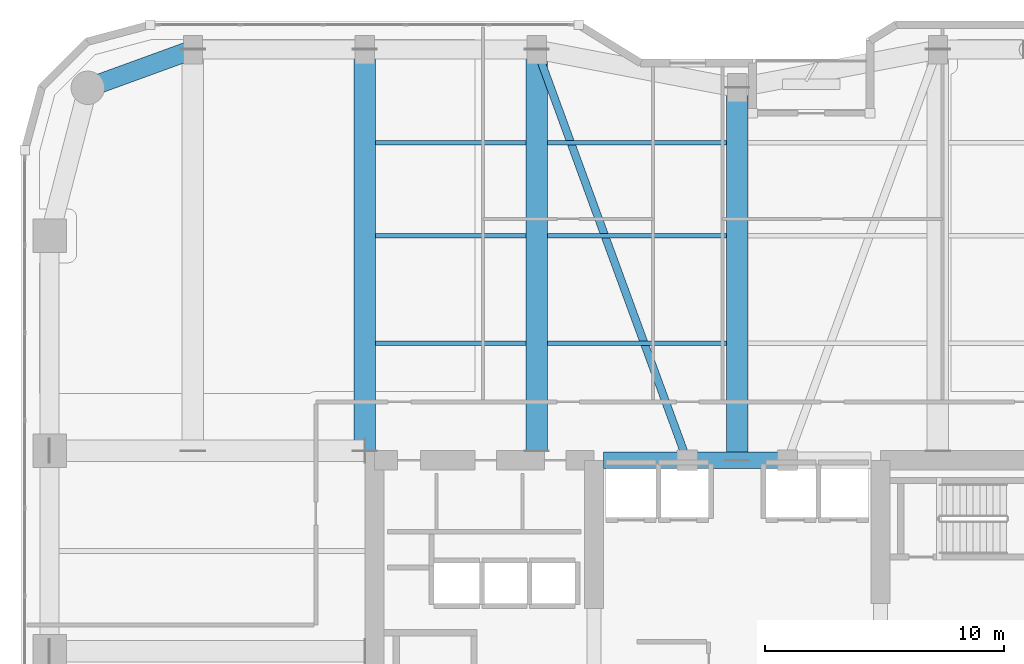
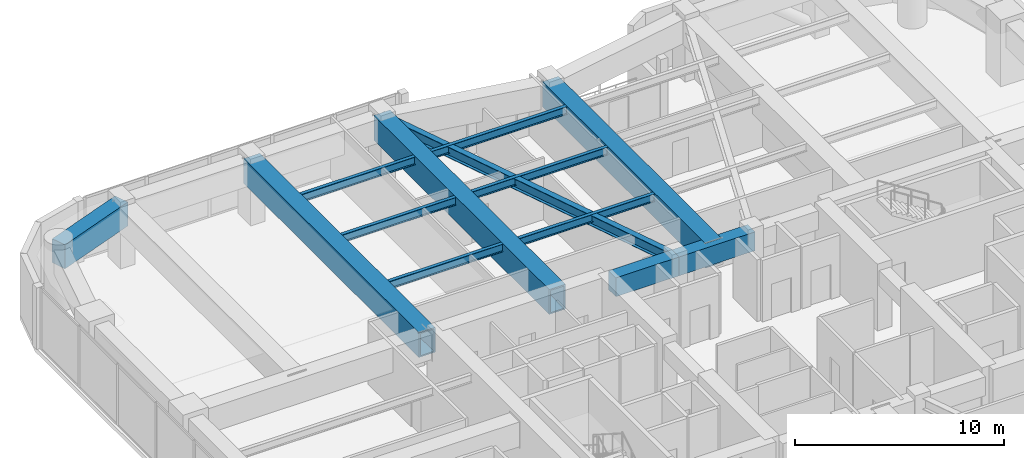
# One storey, part 12 of 25: 13 beams.
"""IFC4 building model written with IfcOpenShell, lengths in metres."""

import ifcopenshell
import ifcopenshell.guid

model = None  # the IFC model being written
_history = None  # IfcOwnerHistory: only IFC2X3 demands one
_inside = {}  # id of a spatial element -> (the spatial element, [elements in it])
_under = {}  # id of a project, library or spatial element -> (it, [spatial elements below it])
_declared = {}  # id of a project -> (the project, [libraries it declares])
_typed = {}  # id of a type object -> (the type object, [elements of that type])
_made_of = {}  # id of a material, layer set ... -> (it, [elements and type objects made of it])


def new_model(schema):
    """Start an empty IFC model of exactly this schema.

    Asked for "IFC4X3", IfcOpenShell would pick the latest addendum, in which some entities
    have other attributes; the version numbers below select the first issue.
    IFC2X3 requires an IfcOwnerHistory on every rooted entity: one is made here for all.
    """
    global model, _history
    if schema == "IFC4X3":
        model = ifcopenshell.file(schema_version=(4, 3, 0, 0))
    else:
        model = ifcopenshell.file(schema=schema)
    _inside.clear()
    _under.clear()
    _declared.clear()
    _typed.clear()
    _made_of.clear()
    _history = None
    if model.schema == "IFC2X3":
        org = make("IfcOrganization", Name="unknown")
        user = make(
            "IfcPersonAndOrganization",
            ThePerson=make("IfcPerson", FamilyName="unknown"),
            TheOrganization=org,
        )
        app = make(
            "IfcApplication",
            ApplicationDeveloper=org,
            Version="unknown",
            ApplicationFullName="unknown",
            ApplicationIdentifier="unknown",
        )
        _history = make(
            "IfcOwnerHistory",
            OwningUser=user,
            OwningApplication=app,
            ChangeAction="ADDED",
            CreationDate=0,
        )
    return model


def make(cls, **values):
    """One entity of the class cls with the attributes given. An attribute that is None is left unset."""
    return model.create_entity(
        cls, **{name: value for name, value in values.items() if value is not None}
    )


def rooted(cls, **values):
    """An entity with a GlobalId (a new one), such as an element, a storey or a relation."""
    return make(cls, GlobalId=ifcopenshell.guid.new(), OwnerHistory=_history, **values)


def si_unit(unit_type, name, prefix=None):
    """IfcSIUnit, for example si_unit("LENGTHUNIT", "METRE", prefix="MILLI")."""
    return make("IfcSIUnit", UnitType=unit_type, Prefix=prefix, Name=name)


def assignment(units):
    """IfcUnitAssignment: the units of a project."""
    return None if units is None else make("IfcUnitAssignment", Units=units)


def point(xyz):
    """IfcCartesianPoint."""
    return None if xyz is None else make("IfcCartesianPoint", Coordinates=xyz)


def direction(xyz):
    """IfcDirection."""
    return None if xyz is None else make("IfcDirection", DirectionRatios=xyz)


def frame(location, z_axis=None, x_axis=None):
    """IfcAxis2Placement3D, a coordinate frame: its origin and axes. An axis left out is left unset."""
    return make(
        "IfcAxis2Placement3D",
        Location=point(location),
        Axis=direction(z_axis),
        RefDirection=direction(x_axis),
    )


def frame_2d(location, x_axis=None):
    """IfcAxis2Placement2D, a coordinate frame in the plane: its origin and x axis."""
    return make(
        "IfcAxis2Placement2D", Location=point(location), RefDirection=direction(x_axis)
    )


def origin():
    """The frame at (0, 0, 0) with its axes left unset."""
    return frame((0.0, 0.0, 0.0))


def origin_2d():
    """The frame at (0, 0) in the plane with its x axis left unset."""
    return frame_2d((0.0, 0.0))


def place(relative_to, where):
    """IfcLocalPlacement: puts the frame where relative to a parent placement (None: the world)."""
    return make(
        "IfcLocalPlacement", PlacementRelTo=relative_to, RelativePlacement=where
    )


def context(
    kind, dimensions, precision=None, world=None, true_north=None, identifier=None
):
    """IfcGeometricRepresentationContext, for example the 3D "Model" context."""
    return make(
        "IfcGeometricRepresentationContext",
        ContextIdentifier=identifier,
        ContextType=kind,
        CoordinateSpaceDimension=dimensions,
        Precision=precision,
        WorldCoordinateSystem=world,
        TrueNorth=true_north,
    )


def subcontext(parent, identifier, kind, view, scale=None):
    """IfcGeometricRepresentationSubContext, for example "Body" below "Model"."""
    return make(
        "IfcGeometricRepresentationSubContext",
        ContextIdentifier=identifier,
        ContextType=kind,
        ParentContext=parent,
        TargetScale=scale,
        TargetView=view,
    )


def project(units=None, contexts=None):
    """IfcProject with its units and contexts."""
    return rooted(
        "IfcProject",
        Name="project",
        RepresentationContexts=contexts,
        UnitsInContext=assignment(units),
    )


def spatial(cls, under=None, at=None, **own):
    """A site, building, storey or space (cls), placed at a placement, below another one or the project."""
    s = rooted(cls, ObjectPlacement=at, **own)
    if under is not None:
        _under.setdefault(under.id(), (under, []))[1].append(s)
    return s


def profile(cls, at=None, kind="AREA", **sizes):
    """A parametric profile (cls). Its sizes go by their IFC names, for example OverallWidth=200.0."""
    return make(cls, ProfileType=kind, Position=at, **sizes)


def rectangle(**sizes):
    """IfcRectangleProfileDef."""
    return profile("IfcRectangleProfileDef", **sizes)


def hollow_rectangle(**sizes):
    """IfcRectangleHollowProfileDef."""
    return profile("IfcRectangleHollowProfileDef", **sizes)


def i_section(**sizes):
    """IfcIShapeProfileDef."""
    return profile("IfcIShapeProfileDef", **sizes)


def extrude(swept, where, along, depth):
    """IfcExtrudedAreaSolid: the profile swept, set in the frame where, extruded along a direction by depth."""
    return make(
        "IfcExtrudedAreaSolid",
        SweptArea=swept,
        Position=where,
        ExtrudedDirection=direction(along),
        Depth=depth,
    )


def shape(context_of_items, identifier, shape_type, items):
    """IfcShapeRepresentation: the items that make up one representation, for example the "Body"."""
    return make(
        "IfcShapeRepresentation",
        ContextOfItems=context_of_items,
        RepresentationIdentifier=identifier,
        RepresentationType=shape_type,
        Items=items,
    )


def material(Name=None, Category=None):
    """IfcMaterial."""
    return make("IfcMaterial", Name=Name, Category=Category)


def material_profile(
    of_material, cross_section, Name=None, Category=None, Priority=None
):
    """IfcMaterialProfile: a cross section and its material."""
    return make(
        "IfcMaterialProfile",
        Name=Name,
        Material=of_material,
        Profile=cross_section,
        Priority=Priority,
        Category=Category,
    )


def profile_set(profiles, Name=None, composite=None):
    """IfcMaterialProfileSet."""
    return make(
        "IfcMaterialProfileSet",
        Name=Name,
        MaterialProfiles=profiles,
        CompositeProfile=composite,
    )


def made_of(thing, what):
    """Note that an element or type object is made of a material, layer set ...; save() writes the relation."""
    if what is not None:
        _made_of.setdefault(what.id(), (what, []))[1].append(thing)
    return thing


def type_object(cls, material=None, **own):
    """A type object (cls), such as IfcWallType, which elements share."""
    return made_of(rooted(cls, **own), material)


def element(
    cls,
    number,
    at=None,
    inside=None,
    cuts=None,
    type_object=None,
    material=None,
    context=None,
    identifier="Body",
    shape_type=None,
    held_by="IfcProductDefinitionShape",
    body=None,
    shapes=None,
    **own,
):
    """One element of the class cls, such as IfcWall. Its Tag is "e" and its number.

    at: its placement. inside: the storey or other place that contains it. cuts: it is an
    opening in that element (IfcRelVoidsElement). A single representation is given by context,
    identifier, shape_type and body (its items); several are given by shapes. held_by: the class
    of the entity that holds the representations. save() writes the other relations.
    """
    e = rooted(cls, Tag="e%d" % number, ObjectPlacement=at, **own)
    if body is not None:
        shapes = [shape(context, identifier, shape_type, body)]
    if shapes is not None:
        e.Representation = make(held_by, Representations=shapes)
    if inside is not None:
        _inside.setdefault(inside.id(), (inside, []))[1].append(e)
    if cuts is not None:
        rooted(
            "IfcRelVoidsElement", RelatingBuildingElement=cuts, RelatedOpeningElement=e
        )
    if type_object is not None:
        _typed.setdefault(type_object.id(), (type_object, []))[1].append(e)
    return made_of(e, material)


def aggregate(whole, parts):
    """IfcRelAggregates: a whole, such as a stair, and the parts it consists of."""
    return rooted("IfcRelAggregates", RelatingObject=whole, RelatedObjects=parts)


def save(model, path):
    """Write the relations noted so far, then the file.

    IfcRelAggregates (storeys below a building ...), IfcRelContainedInSpatialStructure (elements
    in a storey), IfcRelDefinesByType, IfcRelAssociatesMaterial and IfcRelDeclares: one each for
    every whole, place, type object, material and project.
    """
    for whole, parts in _under.values():
        aggregate(whole, parts)
    for where, things in _inside.values():
        rooted(
            "IfcRelContainedInSpatialStructure",
            RelatedElements=things,
            RelatingStructure=where,
        )
    for kind, things in _typed.values():
        rooted("IfcRelDefinesByType", RelatedObjects=things, RelatingType=kind)
    for what, things in _made_of.values():
        rooted("IfcRelAssociatesMaterial", RelatedObjects=things, RelatingMaterial=what)
    for by, libraries in _declared.values():
        rooted("IfcRelDeclares", RelatingContext=by, RelatedDefinitions=libraries)
    model.write(path)


model = new_model("IFC4")

# Units and contexts
model_context = context("Model", 3, precision=1e-05, world=origin(), true_north=direction((0.0, 1.0)))
body_context = subcontext(model_context, "Body", "Model", "MODEL_VIEW")
ifc_project = project(units=[si_unit("LENGTHUNIT", "METRE"), si_unit("AREAUNIT", "SQUARE_METRE"), si_unit("VOLUMEUNIT", "CUBIC_METRE"), si_unit("PLANEANGLEUNIT", "RADIAN"), si_unit("MASSUNIT", "GRAM", prefix="KILO")], contexts=[model_context])

# Site, building, storey
site_placement = place(None, origin())
site = spatial("IfcSite", under=ifc_project, at=site_placement, CompositionType="ELEMENT")
building_placement = place(site_placement, origin())
building = spatial("IfcBuilding", under=site, at=building_placement, Name="Kiyonajd Concourse Tower", CompositionType="ELEMENT")
storey_placement = place(building_placement, frame((0.0, 0.0, 141.60009765625)))
storey = spatial("IfcBuildingStorey", under=building, at=storey_placement, Name="L36", CompositionType="ELEMENT", Elevation=141.60009765625)

# Beams
ifc_material_1 = material(Name="Concrete C70/85", Category="concrete")
ifc_material_profile_1 = material_profile(ifc_material_1, rectangle(XDim=0.699951171875, YDim=1.10009765625, at=origin_2d()), Name="RCBM-700x1100")
ifc_profile_set_1 = profile_set([ifc_material_profile_1], Name="Concrete C70/85")
beam_type_1 = type_object("IfcBeamType", Name="BM-COUP-1100", PredefinedType="LINTEL", material=ifc_profile_set_1)
beam_1_placement = place(storey_placement, frame((42.39990234375, 44.0, 3.0498046875), z_axis=(1.0, 0.0, 0.0), x_axis=(0.0, 1.0, 0.0)))
element("IfcBeam", 1, at=beam_1_placement, inside=storey, type_object=beam_type_1, Name="L36 Core Coupling Beam N1", PredefinedType="LINTEL", context=body_context, shape_type="SweptSolid", body=[
    extrude(rectangle(XDim=0.699951171875, YDim=1.10009765625, at=origin_2d()), origin(), (0.0, 0.0, 1.0), 3.5),
])
beam_2_placement = place(storey_placement, frame((45.89990234375, 44.0, 3.0498046875), z_axis=(1.0, 0.0, 0.0), x_axis=(0.0, 1.0, 0.0)))
element("IfcBeam", 2, at=beam_2_placement, inside=storey, type_object=beam_type_1, Name="L36 Core Coupling Beam N2", PredefinedType="LINTEL", context=body_context, shape_type="SweptSolid", body=[
    extrude(rectangle(XDim=0.699951171875, YDim=1.10009765625, at=origin_2d()), origin(), (0.0, 0.0, 1.0), 4.2001953125),
])
ifc_material_2 = material(Name="Steel ASTM A992 Grade 50", Category="steel")
ifc_material_profile_2 = material_profile(ifc_material_2, i_section(OverallWidth=0.19189453125, OverallDepth=0.462890625, WebThickness=0.010498046875, FlangeThickness=0.017578125, at=origin_2d()), Name="W460X89")
ifc_profile_set_2 = profile_set([ifc_material_profile_2], Name="Steel ASTM A992 Grade 50")
beam_type_2 = type_object("IfcBeamType", Name="BM-JST-460B", PredefinedType="JOIST", material=ifc_profile_set_2)
beam_3_placement = place(storey_placement, frame((32.85009765625, 48.89990234375, 3.368408203125), z_axis=(1.0, 0.0, 0.0), x_axis=(0.0, 1.0, 0.0)))
element("IfcBeam", 3, at=beam_3_placement, inside=storey, type_object=beam_type_2, Name="L36 Secondary Floor Joist", PredefinedType="JOIST", context=body_context, shape_type="SweptSolid", body=[
    extrude(i_section(OverallWidth=0.19189453125, OverallDepth=0.462890625, WebThickness=0.010498046875, FlangeThickness=0.017578125, at=origin_2d()), origin(), (0.0, 0.0, 1.0), 6.2998046875),
])
beam_4_placement = place(storey_placement, frame((40.050048828125, 48.89990234375, 3.368408203125), z_axis=(1.0, 0.0, 0.0), x_axis=(0.0, 1.0, 0.0)))
element("IfcBeam", 4, at=beam_4_placement, inside=storey, type_object=beam_type_2, Name="L36 Secondary Floor Joist", PredefinedType="JOIST", context=body_context, shape_type="SweptSolid", body=[
    extrude(i_section(OverallWidth=0.19189453125, OverallDepth=0.462890625, WebThickness=0.010498046875, FlangeThickness=0.017578125, at=origin_2d()), origin(), (0.0, 0.0, 1.0), 7.5),
])
beam_5_placement = place(storey_placement, frame((32.85009765625, 53.39990234375, 3.368408203125), z_axis=(1.0, 0.0, 0.0), x_axis=(0.0, 1.0, 0.0)))
element("IfcBeam", 5, at=beam_5_placement, inside=storey, type_object=beam_type_2, Name="L36 Secondary Floor Joist", PredefinedType="JOIST", context=body_context, shape_type="SweptSolid", body=[
    extrude(i_section(OverallWidth=0.19189453125, OverallDepth=0.462890625, WebThickness=0.010498046875, FlangeThickness=0.017578125, at=origin_2d()), origin(), (0.0, 0.0, 1.0), 6.2998046875),
])
beam_6_placement = place(storey_placement, frame((40.050048828125, 53.39990234375, 3.368408203125), z_axis=(1.0, 0.0, 0.0), x_axis=(0.0, 1.0, 0.0)))
element("IfcBeam", 6, at=beam_6_placement, inside=storey, type_object=beam_type_2, Name="L36 Secondary Floor Joist", PredefinedType="JOIST", context=body_context, shape_type="SweptSolid", body=[
    extrude(i_section(OverallWidth=0.19189453125, OverallDepth=0.462890625, WebThickness=0.010498046875, FlangeThickness=0.017578125, at=origin_2d()), origin(), (0.0, 0.0, 1.0), 7.5),
])
beam_7_placement = place(storey_placement, frame((32.85009765625, 57.300048828125, 3.368408203125), z_axis=(1.0, 0.0, 0.0), x_axis=(0.0, 1.0, 0.0)))
element("IfcBeam", 7, at=beam_7_placement, inside=storey, type_object=beam_type_2, Name="L36 Secondary Floor Joist", PredefinedType="JOIST", context=body_context, shape_type="SweptSolid", body=[
    extrude(i_section(OverallWidth=0.19189453125, OverallDepth=0.462890625, WebThickness=0.010498046875, FlangeThickness=0.017578125, at=origin_2d()), origin(), (0.0, 0.0, 1.0), 6.2998046875),
])
beam_8_placement = place(storey_placement, frame((40.050048828125, 57.300048828125, 3.368408203125), z_axis=(1.0, 0.0, 0.0), x_axis=(0.0, 1.0, 0.0)))
element("IfcBeam", 8, at=beam_8_placement, inside=storey, type_object=beam_type_2, Name="L36 Secondary Floor Joist", PredefinedType="JOIST", context=body_context, shape_type="SweptSolid", body=[
    extrude(i_section(OverallWidth=0.19189453125, OverallDepth=0.462890625, WebThickness=0.010498046875, FlangeThickness=0.017578125, at=origin_2d()), origin(), (0.0, 0.0, 1.0), 7.5),
])
ifc_material_profile_3 = material_profile(ifc_material_2, i_section(OverallWidth=0.326904296875, OverallDepth=0.6220703125, WebThickness=0.015380859375, FlangeThickness=0.0244140625, at=origin_2d()), Name="W610X195")
ifc_profile_set_3 = profile_set([ifc_material_profile_3], Name="Steel ASTM A992 Grade 50")
beam_type_3 = type_object("IfcBeamType", Name="BM-TWR-610A", PredefinedType="BEAM", material=ifc_profile_set_3)
beam_9_placement = place(storey_placement, frame((39.60009765625, 61.199951171875, 3.288818359375), z_axis=(0.343925269715, -0.938997022813, 0.0), x_axis=(0.938997022813, 0.343925269715, 0.0)))
element("IfcBeam", 9, at=beam_9_placement, inside=storey, type_object=beam_type_3, Name="L36 Core Tie Girder", PredefinedType="BEAM", context=body_context, shape_type="SweptSolid", body=[
    extrude(i_section(OverallWidth=0.326904296875, OverallDepth=0.6220703125, WebThickness=0.015380859375, FlangeThickness=0.0244140625, at=origin_2d()), origin(), (0.0, 0.0, 1.0), 18.3173828125),
])
ifc_material_3 = material(Name="Steel ASTM A572 Grade 50", Category="steel")
ifc_material_profile_4 = material_profile(ifc_material_3, hollow_rectangle(XDim=0.89990234375, YDim=1.449951171875, WallThickness=0.074951171875, at=origin_2d()), Name="BOX-1450x900x75")
ifc_profile_set_4 = profile_set([ifc_material_profile_4], Name="Steel ASTM A572 Grade 50")
beam_type_4 = type_object("IfcBeamType", Name="BM-XFER-1800", PredefinedType="BEAM", material=ifc_profile_set_4)
for number, where, z_axis, x_axis, name in (
    (10, (32.39990234375, 44.39990234375, 2.875), (0.0, 1.0, 0.0), (-1.0, 0.0, 0.0), "L36 North Lease Girder"),
    (11, (39.60009765625, 44.39990234375, 2.875), (0.0, 1.0, 0.0), (-1.0, 0.0, 0.0), "L36 North Lease Girder"),
):
    element("IfcBeam", number, at=place(storey_placement, frame(where, z_axis=z_axis, x_axis=x_axis)), inside=storey, type_object=beam_type_4, Name=name, PredefinedType="BEAM", context=body_context, shape_type="SweptSolid", body=[
        extrude(hollow_rectangle(XDim=0.89990234375, YDim=1.449951171875, WallThickness=0.074951171875, at=origin_2d()), origin(), (0.0, 0.0, 1.0), 16.800048828125),
    ])
beam_10_placement = place(storey_placement, frame((48.0, 44.0, 2.875), z_axis=(0.0, 1.0, 0.0), x_axis=(-1.0, 0.0, 0.0)))
element("IfcBeam", 12, at=beam_10_placement, inside=storey, type_object=beam_type_4, Name="L36 North Ribbon Girder", PredefinedType="BEAM", context=body_context, shape_type="SweptSolid", body=[
    extrude(hollow_rectangle(XDim=0.89990234375, YDim=1.449951171875, WallThickness=0.074951171875, at=origin_2d()), origin(), (0.0, 0.0, 1.0), 15.60009765625),
])
ifc_material_4 = material(Name="Concrete C60/75", Category="concrete")
ifc_material_profile_5 = material_profile(ifc_material_4, rectangle(XDim=0.800048828125, YDim=1.39990234375, at=origin_2d()), Name="RCBM-800x1400")
ifc_profile_set_5 = profile_set([ifc_material_profile_5], Name="Concrete C60/75")
beam_type_5 = type_object("IfcBeamType", Name="BM-XFER-RC", PredefinedType="BEAM", material=ifc_profile_set_5)
beam_11_placement = place(storey_placement, frame((25.199951171875, 61.199951171875, 2.89990234375), z_axis=(-0.939801036019, -0.341722127901, 0.0), x_axis=(0.341722127901, -0.939801036019, 0.0)))
element("IfcBeam", 13, at=beam_11_placement, inside=storey, type_object=beam_type_5, Name="L36 Perimeter Bundled Tube Spandrel", PredefinedType="BEAM", context=body_context, shape_type="SweptSolid", body=[
    extrude(rectangle(XDim=0.800048828125, YDim=1.39990234375, at=origin_2d()), origin(), (0.0, 0.0, 1.0), 4.681640625),
])

save(model, "model.ifc")
